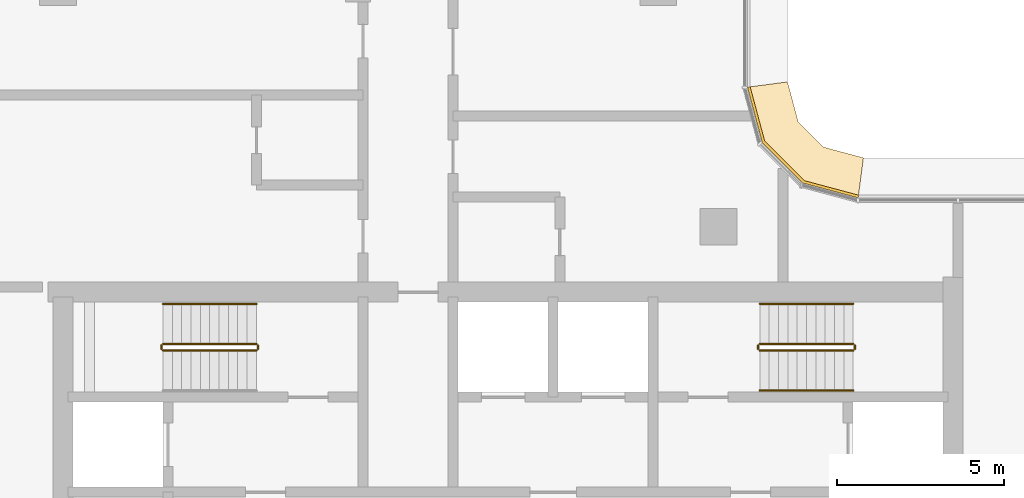
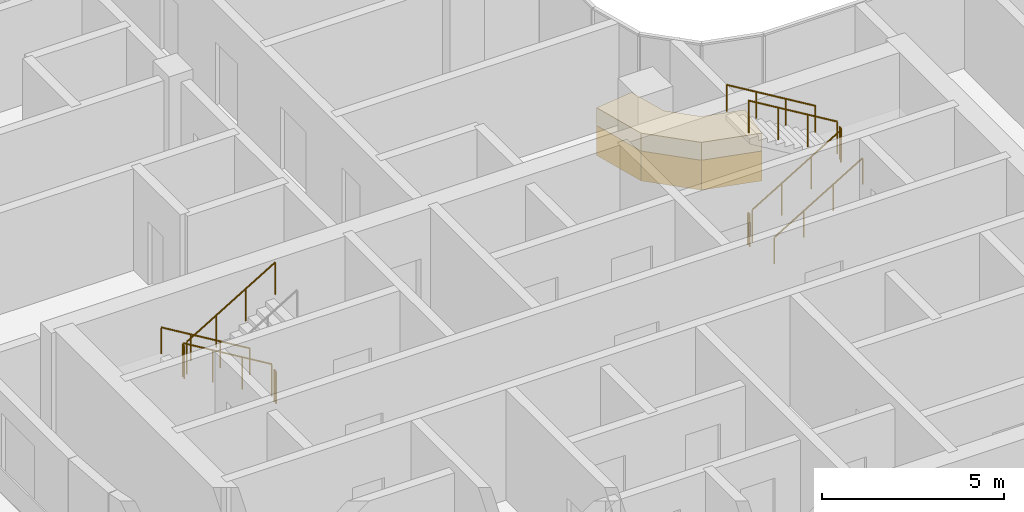
# One storey, part 18 of 23: 11 railings, 2 coverings.
"""IFC4 building model written with IfcOpenShell, lengths in metres."""

from ifc_helpers import new_model, si_unit, direction, frame, origin, origin_2d, place, context, subcontext, project, spatial, polyline, circle, outline, extrude, material, layer, layer_set, type_object, element, save


model = new_model("IFC4")

# Units and contexts
model_context = context("Model", 3, precision=1e-05, world=origin(), true_north=direction((0.0, 1.0)))
body_context = subcontext(model_context, "Body", "Model", "MODEL_VIEW")
ifc_project = project(units=[si_unit("LENGTHUNIT", "METRE"), si_unit("AREAUNIT", "SQUARE_METRE"), si_unit("VOLUMEUNIT", "CUBIC_METRE"), si_unit("PLANEANGLEUNIT", "RADIAN"), si_unit("MASSUNIT", "GRAM", prefix="KILO")], contexts=[model_context])

# Site, building, storey
site_placement = place(None, origin())
site = spatial("IfcSite", under=ifc_project, at=site_placement, CompositionType="ELEMENT")
building_placement = place(site_placement, origin())
building = spatial("IfcBuilding", under=site, at=building_placement, Name="Ogive Portal Towers", CompositionType="ELEMENT")
storey_placement = place(building_placement, frame((0.0, 0.0, 179.199951171875)))
storey = spatial("IfcBuildingStorey", under=building, at=storey_placement, Name="L44", CompositionType="ELEMENT", Elevation=179.199951171875)

# Railings
ifc_material_1 = material(Name="Stainless steel balustrade", Category="steel")
railing_type_1 = type_object("IfcRailingType", Name="INT-GUARD", PredefinedType="GUARDRAIL", material=ifc_material_1)
railing_1_placement = place(storey_placement, frame((37.449951171875, 37.800048828125, 0.168212890625)))
element("IfcRailing", 1, at=railing_1_placement, inside=storey, type_object=railing_type_1, Name="L44 ST-A1 stair guard 1", PredefinedType="GUARDRAIL", context=body_context, shape_type="SweptSolid", body=[
    extrude(circle(Radius=0.02392578125, at=origin_2d()), frame((0.0, 0.0, 1.076171875), z_axis=(-0.857242210791, 0.0, 0.514913383045), x_axis=(0.0, -1.0, 0.0)), (0.0, 0.0, 1.0), 3.266357421875),
    extrude(circle(Radius=0.02099609375, at=origin_2d()), origin(), (0.0, 0.0, 1.0), 1.052001953125),
    extrude(circle(Radius=0.02099609375, at=origin_2d()), frame((-0.933349609375, 0.0, 0.560546875)), (0.0, 0.0, 1.0), 1.052001953125),
    extrude(circle(Radius=0.02099609375, at=origin_2d()), frame((-1.86669921875, 0.0, 1.121337890625)), (0.0, 0.0, 1.0), 1.052001953125),
    extrude(circle(Radius=0.02099609375, at=origin_2d()), frame((-2.800048828125, 0.0, 1.681884765625)), (0.0, 0.0, 1.0), 1.052001953125),
])
railing_2_placement = place(storey_placement, frame((34.60009765625, 37.75, 1.85009765625)))
element("IfcRailing", 2, at=railing_2_placement, inside=storey, type_object=railing_type_1, Name="L44 ST-A1 stair guard 2", PredefinedType="GUARDRAIL", context=body_context, shape_type="SweptSolid", body=[
    extrude(circle(Radius=0.02392578125, at=origin_2d()), frame((0.0, 0.0, 1.076171875), z_axis=(0.0, -1.0, 0.0), x_axis=(1.0, 0.0, 0.0)), (0.0, 0.0, 1.0), 0.10009765625),
    extrude(circle(Radius=0.02099609375, at=origin_2d()), origin(), (0.0, 0.0, 1.0), 1.052001953125),
    extrude(circle(Radius=0.02099609375, at=origin_2d()), frame((0.0, -0.10009765625, 0.0)), (0.0, 0.0, 1.0), 1.052001953125),
])
railing_3_placement = place(storey_placement, frame((34.64990234375, 37.60009765625, 2.018310546875)))
element("IfcRailing", 3, at=railing_3_placement, inside=storey, type_object=railing_type_1, Name="L44 ST-A1 stair guard 3", PredefinedType="GUARDRAIL", context=body_context, shape_type="SweptSolid", body=[
    extrude(circle(Radius=0.02392578125, at=origin_2d()), frame((0.0, 0.0, 1.076171875), z_axis=(0.857275202839, 0.0, 0.514858452973), x_axis=(0.0, 1.0, 0.0)), (0.0, 0.0, 1.0), 3.26611328125),
    extrude(circle(Radius=0.02099609375, at=origin_2d()), origin(), (0.0, 0.0, 1.0), 1.052001953125),
    extrude(circle(Radius=0.02099609375, at=origin_2d()), frame((0.933349609375, 0.0, 0.560546875)), (0.0, 0.0, 1.0), 1.052001953125),
    extrude(circle(Radius=0.02099609375, at=origin_2d()), frame((1.86669921875, 0.0, 1.12109375)), (0.0, 0.0, 1.0), 1.052001953125),
    extrude(circle(Radius=0.02099609375, at=origin_2d()), frame((2.800048828125, 0.0, 1.681640625)), (0.0, 0.0, 1.0), 1.052001953125),
])
railing_4_placement = place(storey_placement, frame((37.5, 37.75, 0.0)))
element("IfcRailing", 4, at=railing_4_placement, inside=storey, type_object=railing_type_1, Name="L44 ST-A1 stair guard 4", PredefinedType="GUARDRAIL", context=body_context, shape_type="SweptSolid", body=[
    extrude(circle(Radius=0.02392578125, at=origin_2d()), frame((0.0, 0.0, 1.076171875), z_axis=(0.0, -1.0, 0.0), x_axis=(1.0, 0.0, 0.0)), (0.0, 0.0, 1.0), 0.10009765625),
    extrude(circle(Radius=0.02099609375, at=origin_2d()), origin(), (0.0, 0.0, 1.0), 1.052001953125),
    extrude(circle(Radius=0.02099609375, at=origin_2d()), frame((0.0, -0.10009765625, 0.0)), (0.0, 0.0, 1.0), 1.052001953125),
])
railing_5_placement = place(storey_placement, frame((52.550048828125, 37.60009765625, 0.168212890625)))
element("IfcRailing", 5, at=railing_5_placement, inside=storey, type_object=railing_type_1, Name="L44 ST-A2 stair guard 1", PredefinedType="GUARDRAIL", context=body_context, shape_type="SweptSolid", body=[
    extrude(circle(Radius=0.02392578125, at=origin_2d()), frame((0.0, 0.0, 1.076171875), z_axis=(0.857242210791, 0.0, 0.514913383045), x_axis=(0.0, 1.0, 0.0)), (0.0, 0.0, 1.0), 3.266357421875),
    extrude(circle(Radius=0.02099609375, at=origin_2d()), origin(), (0.0, 0.0, 1.0), 1.052001953125),
    extrude(circle(Radius=0.02099609375, at=origin_2d()), frame((0.933349609375, 0.0, 0.560546875)), (0.0, 0.0, 1.0), 1.052001953125),
    extrude(circle(Radius=0.02099609375, at=origin_2d()), frame((1.86669921875, 0.0, 1.121337890625)), (0.0, 0.0, 1.0), 1.052001953125),
    extrude(circle(Radius=0.02099609375, at=origin_2d()), frame((2.800048828125, 0.0, 1.681884765625)), (0.0, 0.0, 1.0), 1.052001953125),
])
railing_6_placement = place(storey_placement, frame((55.39990234375, 37.64990234375, 1.85009765625)))
element("IfcRailing", 6, at=railing_6_placement, inside=storey, type_object=railing_type_1, Name="L44 ST-A2 stair guard 2", PredefinedType="GUARDRAIL", context=body_context, shape_type="SweptSolid", body=[
    extrude(circle(Radius=0.02392578125, at=origin_2d()), frame((0.0, 0.0, 1.076171875), z_axis=(0.0, 1.0, 0.0), x_axis=(-1.0, 0.0, 0.0)), (0.0, 0.0, 1.0), 0.10009765625),
    extrude(circle(Radius=0.02099609375, at=origin_2d()), origin(), (0.0, 0.0, 1.0), 1.052001953125),
    extrude(circle(Radius=0.02099609375, at=origin_2d()), frame((0.0, 0.10009765625, 0.0)), (0.0, 0.0, 1.0), 1.052001953125),
])
railing_7_placement = place(storey_placement, frame((55.35009765625, 37.800048828125, 2.018310546875)))
element("IfcRailing", 7, at=railing_7_placement, inside=storey, type_object=railing_type_1, Name="L44 ST-A2 stair guard 3", PredefinedType="GUARDRAIL", context=body_context, shape_type="SweptSolid", body=[
    extrude(circle(Radius=0.02392578125, at=origin_2d()), frame((0.0, 0.0, 1.076171875), z_axis=(-0.857275202839, 0.0, 0.514858452973), x_axis=(0.0, -1.0, 0.0)), (0.0, 0.0, 1.0), 3.26611328125),
    extrude(circle(Radius=0.02099609375, at=origin_2d()), origin(), (0.0, 0.0, 1.0), 1.052001953125),
    extrude(circle(Radius=0.02099609375, at=origin_2d()), frame((-0.933349609375, 0.0, 0.560546875)), (0.0, 0.0, 1.0), 1.052001953125),
    extrude(circle(Radius=0.02099609375, at=origin_2d()), frame((-1.86669921875, 0.0, 1.12109375)), (0.0, 0.0, 1.0), 1.052001953125),
    extrude(circle(Radius=0.02099609375, at=origin_2d()), frame((-2.800048828125, 0.0, 1.681640625)), (0.0, 0.0, 1.0), 1.052001953125),
])
railing_8_placement = place(storey_placement, frame((52.5, 37.64990234375, 0.0)))
element("IfcRailing", 8, at=railing_8_placement, inside=storey, type_object=railing_type_1, Name="L44 ST-A2 stair guard 4", PredefinedType="GUARDRAIL", context=body_context, shape_type="SweptSolid", body=[
    extrude(circle(Radius=0.02392578125, at=origin_2d()), frame((0.0, 0.0, 1.076171875), z_axis=(0.0, 1.0, 0.0), x_axis=(-1.0, 0.0, 0.0)), (0.0, 0.0, 1.0), 0.10009765625),
    extrude(circle(Radius=0.02099609375, at=origin_2d()), origin(), (0.0, 0.0, 1.0), 1.052001953125),
    extrude(circle(Radius=0.02099609375, at=origin_2d()), frame((0.0, 0.10009765625, 0.0)), (0.0, 0.0, 1.0), 1.052001953125),
])
ifc_material_2 = material(Name="Stainless steel handrail", Category="steel")
railing_type_2 = type_object("IfcRailingType", Name="INT-HANDRAIL", PredefinedType="HANDRAIL", material=ifc_material_2)
railing_9_placement = place(storey_placement, frame((37.449951171875, 39.0, 0.168212890625)))
element("IfcRailing", 9, at=railing_9_placement, inside=storey, type_object=railing_type_2, Name="L44 ST-A1 stair handrail 1", PredefinedType="HANDRAIL", context=body_context, shape_type="SweptSolid", body=[
    extrude(circle(Radius=0.02392578125, at=origin_2d()), frame((0.0, 0.0, 0.8759765625), z_axis=(-0.857242210791, 0.0, 0.514913383045), x_axis=(0.0, -1.0, 0.0)), (0.0, 0.0, 1.0), 3.266357421875),
    extrude(circle(Radius=0.02099609375, at=origin_2d()), origin(), (0.0, 0.0, 1.0), 0.851806640625),
    extrude(circle(Radius=0.02099609375, at=origin_2d()), frame((-0.933349609375, 0.0, 0.560546875)), (0.0, 0.0, 1.0), 0.851806640625),
    extrude(circle(Radius=0.02099609375, at=origin_2d()), frame((-1.86669921875, 0.0, 1.121337890625)), (0.0, 0.0, 1.0), 0.851806640625),
    extrude(circle(Radius=0.02099609375, at=origin_2d()), frame((-2.800048828125, 0.0, 1.681884765625)), (0.0, 0.0, 1.0), 0.851806640625),
])
railing_10_placement = place(storey_placement, frame((52.550048828125, 36.39990234375, 0.168212890625)))
element("IfcRailing", 10, at=railing_10_placement, inside=storey, type_object=railing_type_2, Name="L44 ST-A2 stair handrail 1", PredefinedType="HANDRAIL", context=body_context, shape_type="SweptSolid", body=[
    extrude(circle(Radius=0.02392578125, at=origin_2d()), frame((0.0, 0.0, 0.8759765625), z_axis=(0.857242210791, 0.0, 0.514913383045), x_axis=(0.0, 1.0, 0.0)), (0.0, 0.0, 1.0), 3.266357421875),
    extrude(circle(Radius=0.02099609375, at=origin_2d()), origin(), (0.0, 0.0, 1.0), 0.851806640625),
    extrude(circle(Radius=0.02099609375, at=origin_2d()), frame((0.933349609375, 0.0, 0.560546875)), (0.0, 0.0, 1.0), 0.851806640625),
    extrude(circle(Radius=0.02099609375, at=origin_2d()), frame((1.86669921875, 0.0, 1.121337890625)), (0.0, 0.0, 1.0), 0.851806640625),
    extrude(circle(Radius=0.02099609375, at=origin_2d()), frame((2.800048828125, 0.0, 1.681884765625)), (0.0, 0.0, 1.0), 0.851806640625),
])
railing_11_placement = place(storey_placement, frame((55.35009765625, 39.0, 2.018310546875)))
element("IfcRailing", 11, at=railing_11_placement, inside=storey, type_object=railing_type_2, Name="L44 ST-A2 stair handrail 2", PredefinedType="HANDRAIL", context=body_context, shape_type="SweptSolid", body=[
    extrude(circle(Radius=0.02392578125, at=origin_2d()), frame((0.0, 0.0, 0.8759765625), z_axis=(-0.857275202839, 0.0, 0.514858452973), x_axis=(0.0, -1.0, 0.0)), (0.0, 0.0, 1.0), 3.26611328125),
    extrude(circle(Radius=0.02099609375, at=origin_2d()), origin(), (0.0, 0.0, 1.0), 0.851806640625),
    extrude(circle(Radius=0.02099609375, at=origin_2d()), frame((-0.933349609375, 0.0, 0.560546875)), (0.0, 0.0, 1.0), 0.851806640625),
    extrude(circle(Radius=0.02099609375, at=origin_2d()), frame((-1.86669921875, 0.0, 1.12109375)), (0.0, 0.0, 1.0), 0.851806640625),
    extrude(circle(Radius=0.02099609375, at=origin_2d()), frame((-2.800048828125, 0.0, 1.681640625)), (0.0, 0.0, 1.0), 0.851806640625),
])

# Coverings
ifc_material_3 = material(Name="Limestone cladding on lightweight block wall", Category="masonry")
ifc_layer_1 = layer(ifc_material_3, 0.080078125)
ifc_layer_set_1 = layer_set([ifc_layer_1], Name="STONE SPANDREL 80")
covering_type_1 = type_object("IfcCoveringType", Name="STONE SPANDREL 80", PredefinedType="CLADDING", material=ifc_layer_set_1)
covering_1_placement = place(storey_placement, frame((0.0, 0.0, -1.599853515625)))
element("IfcCovering", 12, at=covering_1_placement, inside=storey, type_object=covering_type_1, Name="Stone spandrel A1-F08", PredefinedType="CLADDING", context=body_context, shape_type="SweptSolid", body=[
    extrude(outline(polyline([(55.5, 42.179931640625), (53.840087890625, 42.624755859375), (52.624755859375, 43.840087890625), (52.179931640625, 45.5), (52.260009765625, 45.510498046875), (52.696533203125, 43.88134765625), (53.88134765625, 42.696533203125), (55.510498046875, 42.260009765625), (55.5, 42.179931640625)])), origin(), (0.0, 0.0, 1.0), 1.0),
])
ifc_layer_2 = layer(ifc_material_3, 0.60009765625)
ifc_layer_set_2 = layer_set([ifc_layer_2], Name="SUNSHADE LIP 600")
covering_type_2 = type_object("IfcCoveringType", Name="SUNSHADE LIP 600", PredefinedType="CLADDING", material=ifc_layer_set_2)
covering_2_placement = place(storey_placement, frame((0.0, 0.0, -0.599853515625)))
element("IfcCovering", 13, at=covering_2_placement, inside=storey, type_object=covering_type_2, Name="Sunshade lip A1-F08", PredefinedType="CLADDING", context=body_context, shape_type="SweptSolid", body=[
    extrude(outline(polyline([(55.5, 42.179931640625), (53.840087890625, 42.624755859375), (52.624755859375, 43.840087890625), (52.179931640625, 45.5), (53.3798828125, 45.657958984375), (53.70068359375, 44.461181640625), (54.461181640625, 43.70068359375), (55.657958984375, 43.3798828125), (55.5, 42.179931640625)])), origin(), (0.0, 0.0, 1.0), 0.599853515625),
])

save(model, "model.ifc")
